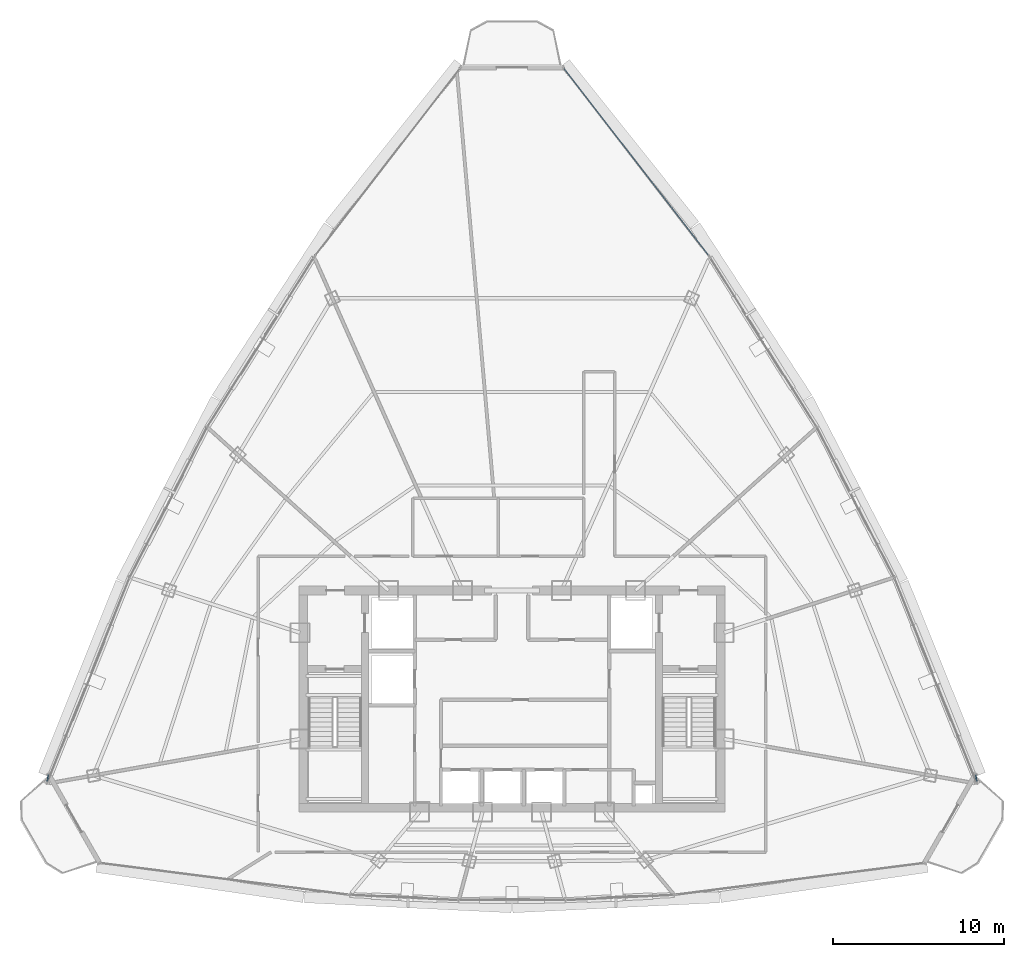
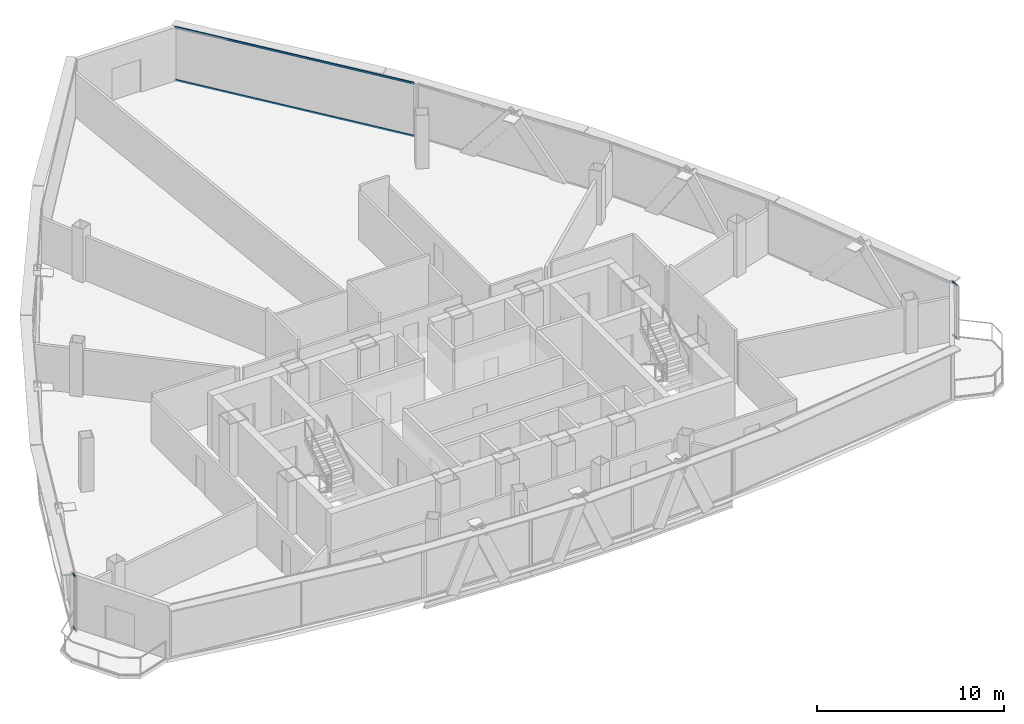
# One storey, part 21 of 30: 6 members, 3 elements without a shape of their own.
"""IFC4 building model written with IfcOpenShell, lengths in metres."""

from ifc_helpers import new_model, si_unit, direction, frame, origin, origin_2d, place, context, subcontext, project, spatial, hollow_rectangle, extrude, source, transform, mapped, material, layer, layer_set, material_profile, profile_set, type_object, element, aggregate, save


model = new_model("IFC4")

# Units and contexts
model_context = context("Model", 3, precision=1e-05, world=origin(), true_north=direction((0.0, 1.0)))
body_context = subcontext(model_context, "Body", "Model", "MODEL_VIEW")
ifc_project = project(units=[si_unit("LENGTHUNIT", "METRE"), si_unit("AREAUNIT", "SQUARE_METRE"), si_unit("VOLUMEUNIT", "CUBIC_METRE"), si_unit("PLANEANGLEUNIT", "RADIAN"), si_unit("MASSUNIT", "GRAM", prefix="KILO"), si_unit("THERMODYNAMICTEMPERATUREUNIT", "KELVIN"), si_unit("POWERUNIT", "WATT")], contexts=[model_context])

# Site, building, storey
site_placement = place(None, origin())
site = spatial("IfcSite", under=ifc_project, at=site_placement, CompositionType="ELEMENT")
building_placement = place(site_placement, origin())
building = spatial("IfcBuilding", under=site, at=building_placement, Name="Yunzhuo Pagoda Commons", CompositionType="ELEMENT")
storey_placement = place(building_placement, frame((0.0, 0.0, 355.510009765625)))
storey = spatial("IfcBuildingStorey", under=building, at=storey_placement, Name="L89", CompositionType="ELEMENT", Elevation=355.510009765625)

# Curtain wall, members
ifc_material = material(Name="Anodized aluminium 6063-T6", Category="aluminium")
ifc_layer = layer(ifc_material, 0.139892578125)
ifc_layer_set = layer_set([ifc_layer], Name="Anodized aluminium 6063-T6")
curtain_wall_type = type_object("IfcCurtainWallType", Name="CW-HI High-Zone Ribbon Curtain Wall", PredefinedType="NOTDEFINED", material=ifc_layer_set)
curtain_wall_1_placement = place(storey_placement, origin())
curtain_wall_1 = element("IfcCurtainWall", 1, at=curtain_wall_1_placement, inside=storey, type_object=curtain_wall_type, Name="L89 curtain wall CW-L89-F2B1", PredefinedType="NOTDEFINED")
ifc_material_profile = material_profile(ifc_material, hollow_rectangle(XDim=0.054931640625, YDim=0.1201171875, WallThickness=0.00341796875, at=origin_2d()), Name="Anodized aluminium 6063-T6")
ifc_profile_set = profile_set([ifc_material_profile], Name="Anodized aluminium 6063-T6")
member_type = type_object("IfcMemberType", Name="CW-HI-T Transom RHS 120x55x3.5", PredefinedType="USERDEFINED", material=ifc_profile_set)
shared_shape_1 = source(origin(), body_context, "Body", "SweptSolid", [
    extrude(hollow_rectangle(XDim=0.054931640625, YDim=0.1201171875, WallThickness=0.00341796875, at=origin_2d()), origin(), (0.0, 0.0, 1.0), 0.380126953125),
])
member_1_placement = place(storey_placement, frame((75.115966796875, 29.414306640625, 0.027587890625), z_axis=(0.150319155513, -0.988637522799, 0.0), x_axis=(0.988637522799, 0.150319155513, 0.0)))
member_1 = element("IfcMember", 2, at=member_1_placement, type_object=member_type, Name="CW transom 1.1", ObjectType="TRANSOM", PredefinedType="USERDEFINED", context=body_context, shape_type="MappedRepresentation", body=[
    mapped(shared_shape_1, transform((0.0, 0.0, 0.0), scale=1.0)),
])
member_2_placement = place(storey_placement, frame((75.115966796875, 29.414306640625, 3.46240234375), z_axis=(0.150319155513, -0.988637522799, 0.0), x_axis=(0.988637522799, 0.150319155513, 0.0)))
member_2 = element("IfcMember", 3, at=member_2_placement, type_object=member_type, Name="CW transom 1.2", ObjectType="TRANSOM", PredefinedType="USERDEFINED", context=body_context, shape_type="MappedRepresentation", body=[
    mapped(shared_shape_1, transform((0.0, 0.0, 0.0), scale=1.0)),
])
aggregate(curtain_wall_1, [member_1, member_2])

curtain_wall_2_placement = place(storey_placement, origin())
curtain_wall_2 = element("IfcCurtainWall", 4, at=curtain_wall_2_placement, inside=storey, type_object=curtain_wall_type, Name="L89 curtain wall CW-L89-F3B5", PredefinedType="NOTDEFINED")
member_3_placement = place(storey_placement, frame((20.826904296875, 29.03857421875, 0.027587890625), z_axis=(0.150319155513, 0.988637522799, 0.0), x_axis=(-0.988637522799, 0.150319155513, 0.0)))
member_3 = element("IfcMember", 5, at=member_3_placement, type_object=member_type, Name="CW transom 1.1", ObjectType="TRANSOM", PredefinedType="USERDEFINED", context=body_context, shape_type="MappedRepresentation", body=[
    mapped(shared_shape_1, transform((0.0, 0.0, 0.0), scale=1.0)),
])
member_4_placement = place(storey_placement, frame((20.826904296875, 29.03857421875, 3.46240234375), z_axis=(0.150319155513, 0.988637522799, 0.0), x_axis=(-0.988637522799, 0.150319155513, 0.0)))
member_4 = element("IfcMember", 6, at=member_4_placement, type_object=member_type, Name="CW transom 1.2", ObjectType="TRANSOM", PredefinedType="USERDEFINED", context=body_context, shape_type="MappedRepresentation", body=[
    mapped(shared_shape_1, transform((0.0, 0.0, 0.0), scale=1.0)),
])
aggregate(curtain_wall_2, [member_3, member_4])

curtain_wall_3_placement = place(storey_placement, origin())
curtain_wall_3 = element("IfcCurtainWall", 7, at=curtain_wall_3_placement, inside=storey, type_object=curtain_wall_type, Name="L89 curtain wall CW-L89-F2B5", PredefinedType="NOTDEFINED")
shared_shape_2 = source(origin(), body_context, "Body", "SweptSolid", [
    extrude(hollow_rectangle(XDim=0.054931640625, YDim=0.1201171875, WallThickness=0.00341796875, at=origin_2d()), origin(), (0.0, 0.0, 1.0), 13.8232421875),
])
member_5_placement = place(storey_placement, frame((59.489501953125, 59.79833984375, 0.027587890625), z_axis=(-0.61190884163, 0.790928296077, 0.0), x_axis=(-0.790928296077, -0.61190884163, 0.0)))
member_5 = element("IfcMember", 8, at=member_5_placement, type_object=member_type, Name="CW transom 1.1", ObjectType="TRANSOM", PredefinedType="USERDEFINED", context=body_context, shape_type="MappedRepresentation", body=[
    mapped(shared_shape_2, transform((0.0, 0.0, 0.0), scale=1.0)),
])
member_6_placement = place(storey_placement, frame((59.489501953125, 59.79833984375, 3.46240234375), z_axis=(-0.61190884163, 0.790928296077, 0.0), x_axis=(-0.790928296077, -0.61190884163, 0.0)))
member_6 = element("IfcMember", 9, at=member_6_placement, type_object=member_type, Name="CW transom 1.2", ObjectType="TRANSOM", PredefinedType="USERDEFINED", context=body_context, shape_type="MappedRepresentation", body=[
    mapped(shared_shape_2, transform((0.0, 0.0, 0.0), scale=1.0)),
])
aggregate(curtain_wall_3, [member_5, member_6])

save(model, "model.ifc")
